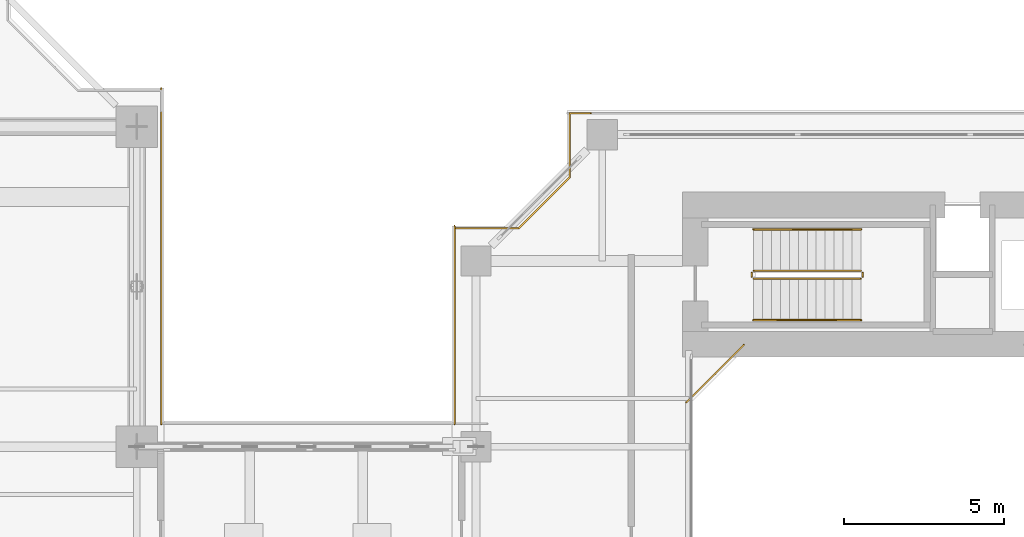
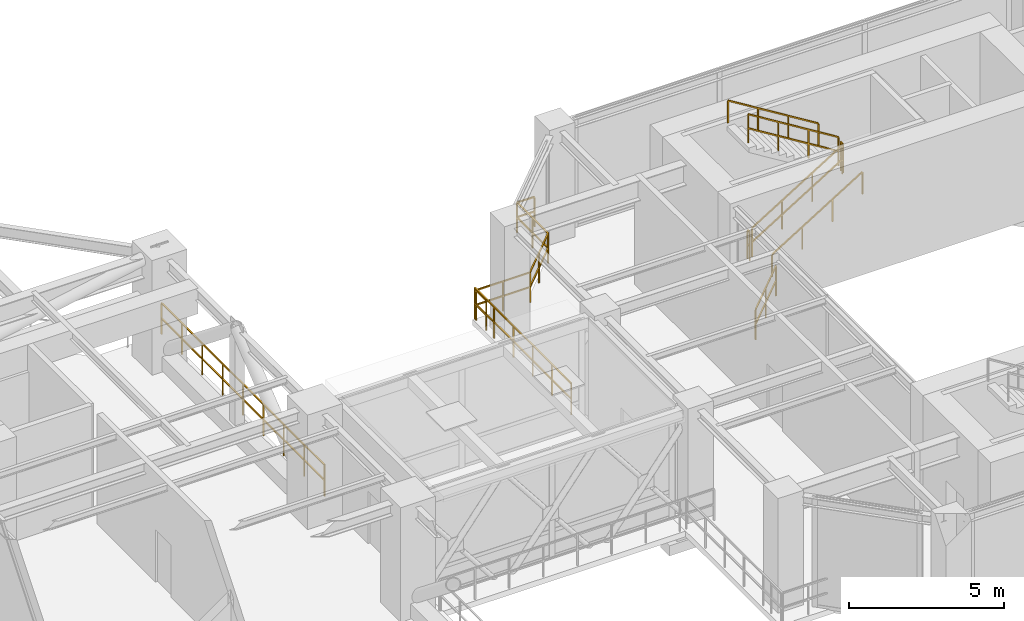
# One storey, part 24 of 26: 10 railings.
"""IFC4 building model written with IfcOpenShell, lengths in metres."""

from ifc_helpers import new_model, si_unit, direction, frame, origin, origin_2d, place, context, subcontext, project, spatial, rectangle, extrude, material, type_object, element, save


model = new_model("IFC4")

# Units and contexts
model_context = context("Model", 3, precision=1e-05, world=origin(), true_north=direction((0.0, 1.0)))
body_context = subcontext(model_context, "Body", "Model", "MODEL_VIEW")
ifc_project = project(units=[si_unit("LENGTHUNIT", "METRE"), si_unit("AREAUNIT", "SQUARE_METRE"), si_unit("VOLUMEUNIT", "CUBIC_METRE"), si_unit("PLANEANGLEUNIT", "RADIAN"), si_unit("MASSUNIT", "GRAM", prefix="KILO"), si_unit("THERMODYNAMICTEMPERATUREUNIT", "KELVIN"), si_unit("POWERUNIT", "WATT")], contexts=[model_context])

# Site, building, storey
site_placement = place(None, origin())
site = spatial("IfcSite", under=ifc_project, at=site_placement, CompositionType="ELEMENT")
building_placement = place(site_placement, origin())
building = spatial("IfcBuilding", under=site, at=building_placement, Name="Qiaomeng Ring Towers", CompositionType="ELEMENT")
storey_placement = place(building_placement, frame((0.0, 0.0, 45.75)))
storey = spatial("IfcBuildingStorey", under=building, at=storey_placement, Name="L12", CompositionType="ELEMENT", Elevation=45.75)

# Railings
ifc_material_1 = material(Name="Low-E pale-green laminated safety glass", Category="glass")
railing_type_1 = type_object("IfcRailingType", Name="ARC-RL-BAL1", PredefinedType="BALUSTRADE", material=ifc_material_1)
railing_1_placement = place(storey_placement, frame((56.1201171875, 29.179931640625, 0.0)))
element("IfcRailing", 1, at=railing_1_placement, inside=storey, type_object=railing_type_1, Name="L12 Balustrade ARC-BAL-WELL2-L12-3", PredefinedType="BALUSTRADE", context=body_context, shape_type="SweptSolid", body=[
    extrude(rectangle(XDim=0.048095703125, YDim=0.048095703125, at=origin_2d()), frame((0.0, 0.0, 1.17578125), z_axis=(-0.707106781187, -0.707106781187, 0.0), x_axis=(0.707106781187, -0.707106781187, 0.0)), (0.0, 0.0, 1.0), 2.545654296875),
    extrude(rectangle(XDim=0.048095703125, YDim=0.048095703125, at=origin_2d()), frame((0.0, 0.0, 0.60009765625), z_axis=(-0.707106781187, -0.707106781187, 0.0), x_axis=(0.707106781187, -0.707106781187, 0.0)), (0.0, 0.0, 1.0), 2.545654296875),
    extrude(rectangle(XDim=0.0419921875, YDim=0.0419921875, at=origin_2d()), origin(), (0.0, 0.0, 1.0), 1.15185546875),
    extrude(rectangle(XDim=0.0419921875, YDim=0.0419921875, at=origin_2d()), frame((-0.89990234375, -0.89990234375, 0.0)), (0.0, 0.0, 1.0), 1.15185546875),
    extrude(rectangle(XDim=0.0419921875, YDim=0.0419921875, at=origin_2d()), frame((-1.800048828125, -1.800048828125, 0.0)), (0.0, 0.0, 1.0), 1.15185546875),
])
railing_2_placement = place(storey_placement, frame((51.330078125, 36.419921875, 0.0)))
element("IfcRailing", 2, at=railing_2_placement, inside=storey, type_object=railing_type_1, Name="L12 Balustrade ARC-BAL-NOTCH2-L12-NW", PredefinedType="BALUSTRADE", context=body_context, shape_type="SweptSolid", body=[
    extrude(rectangle(XDim=0.048095703125, YDim=0.048095703125, at=origin_2d()), frame((0.0, 0.0, 1.17578125), z_axis=(-1.0, 0.0, 0.0), x_axis=(0.0, -1.0, 0.0)), (0.0, 0.0, 1.0), 0.650146484375),
    extrude(rectangle(XDim=0.048095703125, YDim=0.048095703125, at=origin_2d()), frame((0.0, 0.0, 0.60009765625), z_axis=(-1.0, 0.0, 0.0), x_axis=(0.0, -1.0, 0.0)), (0.0, 0.0, 1.0), 0.650146484375),
    extrude(rectangle(XDim=0.048095703125, YDim=0.048095703125, at=origin_2d()), frame((-0.650146484375, 0.0, 1.17578125), z_axis=(0.0, -1.0, 0.0), x_axis=(1.0, 0.0, 0.0)), (0.0, 0.0, 1.0), 2.0),
    extrude(rectangle(XDim=0.048095703125, YDim=0.048095703125, at=origin_2d()), frame((-0.650146484375, 0.0, 0.60009765625), z_axis=(0.0, -1.0, 0.0), x_axis=(1.0, 0.0, 0.0)), (0.0, 0.0, 1.0), 2.0),
    extrude(rectangle(XDim=0.048095703125, YDim=0.048095703125, at=origin_2d()), frame((-0.650146484375, -2.0, 1.17578125), z_axis=(-0.707106781187, -0.707106781187, 0.0), x_axis=(0.707106781187, -0.707106781187, 0.0)), (0.0, 0.0, 1.0), 2.262451171875),
    extrude(rectangle(XDim=0.048095703125, YDim=0.048095703125, at=origin_2d()), frame((-0.650146484375, -2.0, 0.60009765625), z_axis=(-0.707106781187, -0.707106781187, 0.0), x_axis=(0.707106781187, -0.707106781187, 0.0)), (0.0, 0.0, 1.0), 2.262451171875),
    extrude(rectangle(XDim=0.048095703125, YDim=0.048095703125, at=origin_2d()), frame((-2.25, -3.599853515625, 1.17578125), z_axis=(-1.0, 0.0, 0.0), x_axis=(0.0, -1.0, 0.0)), (0.0, 0.0, 1.0), 2.0),
    extrude(rectangle(XDim=0.048095703125, YDim=0.048095703125, at=origin_2d()), frame((-2.25, -3.599853515625, 0.60009765625), z_axis=(-1.0, 0.0, 0.0), x_axis=(0.0, -1.0, 0.0)), (0.0, 0.0, 1.0), 2.0),
    extrude(rectangle(XDim=0.048095703125, YDim=0.048095703125, at=origin_2d()), frame((-4.25, -3.599853515625, 1.17578125), z_axis=(0.0, -1.0, 0.0), x_axis=(1.0, 0.0, 0.0)), (0.0, 0.0, 1.0), 0.650146484375),
    extrude(rectangle(XDim=0.048095703125, YDim=0.048095703125, at=origin_2d()), frame((-4.25, -3.599853515625, 0.60009765625), z_axis=(0.0, -1.0, 0.0), x_axis=(1.0, 0.0, 0.0)), (0.0, 0.0, 1.0), 0.650146484375),
    extrude(rectangle(XDim=0.0419921875, YDim=0.0419921875, at=origin_2d()), origin(), (0.0, 0.0, 1.0), 1.15185546875),
    extrude(rectangle(XDim=0.0419921875, YDim=0.0419921875, at=origin_2d()), frame((-0.650146484375, 0.0, 0.0)), (0.0, 0.0, 1.0), 1.15185546875),
    extrude(rectangle(XDim=0.0419921875, YDim=0.0419921875, at=origin_2d()), frame((-0.650146484375, -1.0, 0.0)), (0.0, 0.0, 1.0), 1.15185546875),
    extrude(rectangle(XDim=0.0419921875, YDim=0.0419921875, at=origin_2d()), frame((-0.650146484375, -2.0, 0.0)), (0.0, 0.0, 1.0), 1.15185546875),
    extrude(rectangle(XDim=0.0419921875, YDim=0.0419921875, at=origin_2d()), frame((-1.4501953125, -2.7998046875, 0.0)), (0.0, 0.0, 1.0), 1.15185546875),
    extrude(rectangle(XDim=0.0419921875, YDim=0.0419921875, at=origin_2d()), frame((-2.25, -3.599853515625, 0.0)), (0.0, 0.0, 1.0), 1.15185546875),
    extrude(rectangle(XDim=0.0419921875, YDim=0.0419921875, at=origin_2d()), frame((-3.25, -3.599853515625, 0.0)), (0.0, 0.0, 1.0), 1.15185546875),
    extrude(rectangle(XDim=0.0419921875, YDim=0.0419921875, at=origin_2d()), frame((-4.25, -3.599853515625, 0.0)), (0.0, 0.0, 1.0), 1.15185546875),
    extrude(rectangle(XDim=0.0419921875, YDim=0.0419921875, at=origin_2d()), frame((-4.25, -4.25, 0.0)), (0.0, 0.0, 1.0), 1.15185546875),
])
ifc_material_2 = material(Name="Stainless steel 316", Category="steel")
railing_type_2 = type_object("IfcRailingType", Name="ARC-RL-BAL2", PredefinedType="BALUSTRADE", material=ifc_material_2)
railing_3_placement = place(storey_placement, frame((37.919921875, 26.699951171875, 0.0)))
element("IfcRailing", 3, at=railing_3_placement, inside=storey, type_object=railing_type_2, Name="L12 Balustrade ARC-BAL-REF-EN-L12", PredefinedType="BALUSTRADE", context=body_context, shape_type="SweptSolid", body=[
    extrude(rectangle(XDim=0.048095703125, YDim=0.048095703125, at=origin_2d()), frame((0.0, 0.0, 1.22607421875), z_axis=(0.0, 1.0, 0.0), x_axis=(-1.0, 0.0, 0.0)), (0.0, 0.0, 1.0), 10.5),
    extrude(rectangle(XDim=0.048095703125, YDim=0.048095703125, at=origin_2d()), frame((0.0, 0.0, 0.625), z_axis=(0.0, 1.0, 0.0), x_axis=(-1.0, 0.0, 0.0)), (0.0, 0.0, 1.0), 10.5),
    extrude(rectangle(XDim=0.0419921875, YDim=0.0419921875, at=origin_2d()), origin(), (0.0, 0.0, 1.0), 1.201904296875),
    extrude(rectangle(XDim=0.0419921875, YDim=0.0419921875, at=origin_2d()), frame((0.0, 1.3125, 0.0)), (0.0, 0.0, 1.0), 1.201904296875),
    extrude(rectangle(XDim=0.0419921875, YDim=0.0419921875, at=origin_2d()), frame((0.0, 2.625, 0.0)), (0.0, 0.0, 1.0), 1.201904296875),
    extrude(rectangle(XDim=0.0419921875, YDim=0.0419921875, at=origin_2d()), frame((0.0, 3.9375, 0.0)), (0.0, 0.0, 1.0), 1.201904296875),
    extrude(rectangle(XDim=0.0419921875, YDim=0.0419921875, at=origin_2d()), frame((0.0, 5.25, 0.0)), (0.0, 0.0, 1.0), 1.201904296875),
    extrude(rectangle(XDim=0.0419921875, YDim=0.0419921875, at=origin_2d()), frame((0.0, 6.5625, 0.0)), (0.0, 0.0, 1.0), 1.201904296875),
    extrude(rectangle(XDim=0.0419921875, YDim=0.0419921875, at=origin_2d()), frame((0.0, 7.875, 0.0)), (0.0, 0.0, 1.0), 1.201904296875),
    extrude(rectangle(XDim=0.0419921875, YDim=0.0419921875, at=origin_2d()), frame((0.0, 9.1875, 0.0)), (0.0, 0.0, 1.0), 1.201904296875),
    extrude(rectangle(XDim=0.0419921875, YDim=0.0419921875, at=origin_2d()), frame((0.0, 10.5, 0.0)), (0.0, 0.0, 1.0), 1.201904296875),
])
railing_4_placement = place(storey_placement, frame((47.080078125, 26.699951171875, 0.0)))
element("IfcRailing", 4, at=railing_4_placement, inside=storey, type_object=railing_type_2, Name="L12 Balustrade ARC-BAL-T2WN-L12", PredefinedType="BALUSTRADE", context=body_context, shape_type="SweptSolid", body=[
    extrude(rectangle(XDim=0.048095703125, YDim=0.048095703125, at=origin_2d()), frame((0.0, 0.0, 1.22607421875), z_axis=(0.0, 1.0, 0.0), x_axis=(-1.0, 0.0, 0.0)), (0.0, 0.0, 1.0), 6.199951171875),
    extrude(rectangle(XDim=0.048095703125, YDim=0.048095703125, at=origin_2d()), frame((0.0, 0.0, 0.625), z_axis=(0.0, 1.0, 0.0), x_axis=(-1.0, 0.0, 0.0)), (0.0, 0.0, 1.0), 6.199951171875),
    extrude(rectangle(XDim=0.0419921875, YDim=0.0419921875, at=origin_2d()), origin(), (0.0, 0.0, 1.0), 1.201904296875),
    extrude(rectangle(XDim=0.0419921875, YDim=0.0419921875, at=origin_2d()), frame((0.0, 1.239990234375, 0.0)), (0.0, 0.0, 1.0), 1.201904296875),
    extrude(rectangle(XDim=0.0419921875, YDim=0.0419921875, at=origin_2d()), frame((0.0, 2.47998046875, 0.0)), (0.0, 0.0, 1.0), 1.201904296875),
    extrude(rectangle(XDim=0.0419921875, YDim=0.0419921875, at=origin_2d()), frame((0.0, 3.719970703125, 0.0)), (0.0, 0.0, 1.0), 1.201904296875),
    extrude(rectangle(XDim=0.0419921875, YDim=0.0419921875, at=origin_2d()), frame((0.0, 4.9599609375, 0.0)), (0.0, 0.0, 1.0), 1.201904296875),
    extrude(rectangle(XDim=0.0419921875, YDim=0.0419921875, at=origin_2d()), frame((0.0, 6.199951171875, 0.0)), (0.0, 0.0, 1.0), 1.201904296875),
])
ifc_material_3 = material(Name="Galvanised steel", Category="steel")
railing_type_3 = type_object("IfcRailingType", Name="ARC-RL-GUARD", PredefinedType="GUARDRAIL", material=ifc_material_3)
railing_5_placement = place(storey_placement, frame((56.419921875, 31.25, 0.173095703125)))
element("IfcRailing", 5, at=railing_5_placement, inside=storey, type_object=railing_type_3, Name="L12 ST5 stair guard 1", PredefinedType="GUARDRAIL", context=body_context, shape_type="SweptSolid", body=[
    extrude(rectangle(XDim=0.048095703125, YDim=0.048095703125, at=origin_2d()), frame((0.0, 0.0, 1.1259765625), z_axis=(0.850623216509, 0.0, 0.525775754039), x_axis=(0.0, 1.0, 0.0)), (0.0, 0.0, 1.0), 3.9501953125),
    extrude(rectangle(XDim=0.048095703125, YDim=0.048095703125, at=origin_2d()), frame((0.0, 0.0, 0.574951171875), z_axis=(0.850623216509, 0.0, 0.525775754039), x_axis=(0.0, 1.0, 0.0)), (0.0, 0.0, 1.0), 3.9501953125),
    extrude(rectangle(XDim=0.0419921875, YDim=0.0419921875, at=origin_2d()), origin(), (0.0, 0.0, 1.0), 1.101806640625),
    extrude(rectangle(XDim=0.0419921875, YDim=0.0419921875, at=origin_2d()), frame((1.1201171875, 0.0, 0.6923828125)), (0.0, 0.0, 1.0), 1.101806640625),
    extrude(rectangle(XDim=0.0419921875, YDim=0.0419921875, at=origin_2d()), frame((2.239990234375, 0.0, 1.384521484375)), (0.0, 0.0, 1.0), 1.101806640625),
    extrude(rectangle(XDim=0.0419921875, YDim=0.0419921875, at=origin_2d()), frame((3.360107421875, 0.0, 2.076904296875)), (0.0, 0.0, 1.0), 1.101806640625),
])
railing_6_placement = place(storey_placement, frame((59.830078125, 31.300048828125, 2.25)))
element("IfcRailing", 6, at=railing_6_placement, inside=storey, type_object=railing_type_3, Name="L12 ST5 stair guard 2", PredefinedType="GUARDRAIL", context=body_context, shape_type="SweptSolid", body=[
    extrude(rectangle(XDim=0.048095703125, YDim=0.048095703125, at=origin_2d()), frame((0.0, 0.0, 1.1259765625), z_axis=(0.0, 1.0, 0.0), x_axis=(-1.0, 0.0, 0.0)), (0.0, 0.0, 1.0), 0.139892578125),
    extrude(rectangle(XDim=0.048095703125, YDim=0.048095703125, at=origin_2d()), frame((0.0, 0.0, 0.574951171875), z_axis=(0.0, 1.0, 0.0), x_axis=(-1.0, 0.0, 0.0)), (0.0, 0.0, 1.0), 0.139892578125),
    extrude(rectangle(XDim=0.0419921875, YDim=0.0419921875, at=origin_2d()), origin(), (0.0, 0.0, 1.0), 1.101806640625),
    extrude(rectangle(XDim=0.0419921875, YDim=0.0419921875, at=origin_2d()), frame((0.0, 0.139892578125, 0.0)), (0.0, 0.0, 1.0), 1.101806640625),
])
railing_7_placement = place(storey_placement, frame((59.780029296875, 31.489990234375, 2.423095703125)))
element("IfcRailing", 7, at=railing_7_placement, inside=storey, type_object=railing_type_3, Name="L12 ST5 stair guard 3", PredefinedType="GUARDRAIL", context=body_context, shape_type="SweptSolid", body=[
    extrude(rectangle(XDim=0.048095703125, YDim=0.048095703125, at=origin_2d()), frame((0.0, 0.0, 1.1259765625), z_axis=(-0.850623216509, 0.0, 0.525775754039), x_axis=(0.0, -1.0, 0.0)), (0.0, 0.0, 1.0), 3.9501953125),
    extrude(rectangle(XDim=0.048095703125, YDim=0.048095703125, at=origin_2d()), frame((0.0, 0.0, 0.574951171875), z_axis=(-0.850623216509, 0.0, 0.525775754039), x_axis=(0.0, -1.0, 0.0)), (0.0, 0.0, 1.0), 3.9501953125),
    extrude(rectangle(XDim=0.0419921875, YDim=0.0419921875, at=origin_2d()), origin(), (0.0, 0.0, 1.0), 1.101806640625),
    extrude(rectangle(XDim=0.0419921875, YDim=0.0419921875, at=origin_2d()), frame((-1.1201171875, 0.0, 0.6923828125)), (0.0, 0.0, 1.0), 1.101806640625),
    extrude(rectangle(XDim=0.0419921875, YDim=0.0419921875, at=origin_2d()), frame((-2.239990234375, 0.0, 1.384521484375)), (0.0, 0.0, 1.0), 1.101806640625),
    extrude(rectangle(XDim=0.0419921875, YDim=0.0419921875, at=origin_2d()), frame((-3.360107421875, 0.0, 2.076904296875)), (0.0, 0.0, 1.0), 1.101806640625),
])
railing_8_placement = place(storey_placement, frame((56.3701171875, 31.300048828125, 0.0)))
element("IfcRailing", 8, at=railing_8_placement, inside=storey, type_object=railing_type_3, Name="L12 ST5 stair guard 4", PredefinedType="GUARDRAIL", context=body_context, shape_type="SweptSolid", body=[
    extrude(rectangle(XDim=0.048095703125, YDim=0.048095703125, at=origin_2d()), frame((0.0, 0.0, 1.1259765625), z_axis=(0.0, 1.0, 0.0), x_axis=(-1.0, 0.0, 0.0)), (0.0, 0.0, 1.0), 0.139892578125),
    extrude(rectangle(XDim=0.048095703125, YDim=0.048095703125, at=origin_2d()), frame((0.0, 0.0, 0.574951171875), z_axis=(0.0, 1.0, 0.0), x_axis=(-1.0, 0.0, 0.0)), (0.0, 0.0, 1.0), 0.139892578125),
    extrude(rectangle(XDim=0.0419921875, YDim=0.0419921875, at=origin_2d()), origin(), (0.0, 0.0, 1.0), 1.101806640625),
    extrude(rectangle(XDim=0.0419921875, YDim=0.0419921875, at=origin_2d()), frame((0.0, 0.139892578125, 0.0)), (0.0, 0.0, 1.0), 1.101806640625),
])
railing_type_4 = type_object("IfcRailingType", Name="ARC-RL-HAND", PredefinedType="HANDRAIL", material=ifc_material_2)
railing_9_placement = place(storey_placement, frame((56.419921875, 29.949951171875, 0.173095703125)))
element("IfcRailing", 9, at=railing_9_placement, inside=storey, type_object=railing_type_4, Name="L12 ST5 stair handrail 1", PredefinedType="HANDRAIL", context=body_context, shape_type="SweptSolid", body=[
    extrude(rectangle(XDim=0.048095703125, YDim=0.048095703125, at=origin_2d()), frame((0.0, 0.0, 0.8759765625), z_axis=(0.850623216509, 0.0, 0.525775754039), x_axis=(0.0, 1.0, 0.0)), (0.0, 0.0, 1.0), 3.9501953125),
    extrude(rectangle(XDim=0.0419921875, YDim=0.0419921875, at=origin_2d()), origin(), (0.0, 0.0, 1.0), 0.851806640625),
    extrude(rectangle(XDim=0.0419921875, YDim=0.0419921875, at=origin_2d()), frame((1.1201171875, 0.0, 0.6923828125)), (0.0, 0.0, 1.0), 0.851806640625),
    extrude(rectangle(XDim=0.0419921875, YDim=0.0419921875, at=origin_2d()), frame((2.239990234375, 0.0, 1.384521484375)), (0.0, 0.0, 1.0), 0.851806640625),
    extrude(rectangle(XDim=0.0419921875, YDim=0.0419921875, at=origin_2d()), frame((3.360107421875, 0.0, 2.076904296875)), (0.0, 0.0, 1.0), 0.851806640625),
])
railing_10_placement = place(storey_placement, frame((59.780029296875, 32.7900390625, 2.423095703125)))
element("IfcRailing", 10, at=railing_10_placement, inside=storey, type_object=railing_type_4, Name="L12 ST5 stair handrail 2", PredefinedType="HANDRAIL", context=body_context, shape_type="SweptSolid", body=[
    extrude(rectangle(XDim=0.048095703125, YDim=0.048095703125, at=origin_2d()), frame((0.0, 0.0, 0.8759765625), z_axis=(-0.850623216509, 0.0, 0.525775754039), x_axis=(0.0, -1.0, 0.0)), (0.0, 0.0, 1.0), 3.9501953125),
    extrude(rectangle(XDim=0.0419921875, YDim=0.0419921875, at=origin_2d()), origin(), (0.0, 0.0, 1.0), 0.851806640625),
    extrude(rectangle(XDim=0.0419921875, YDim=0.0419921875, at=origin_2d()), frame((-1.1201171875, 0.0, 0.6923828125)), (0.0, 0.0, 1.0), 0.851806640625),
    extrude(rectangle(XDim=0.0419921875, YDim=0.0419921875, at=origin_2d()), frame((-2.239990234375, 0.0, 1.384521484375)), (0.0, 0.0, 1.0), 0.851806640625),
    extrude(rectangle(XDim=0.0419921875, YDim=0.0419921875, at=origin_2d()), frame((-3.360107421875, 0.0, 2.076904296875)), (0.0, 0.0, 1.0), 0.851806640625),
])

save(model, "model.ifc")
